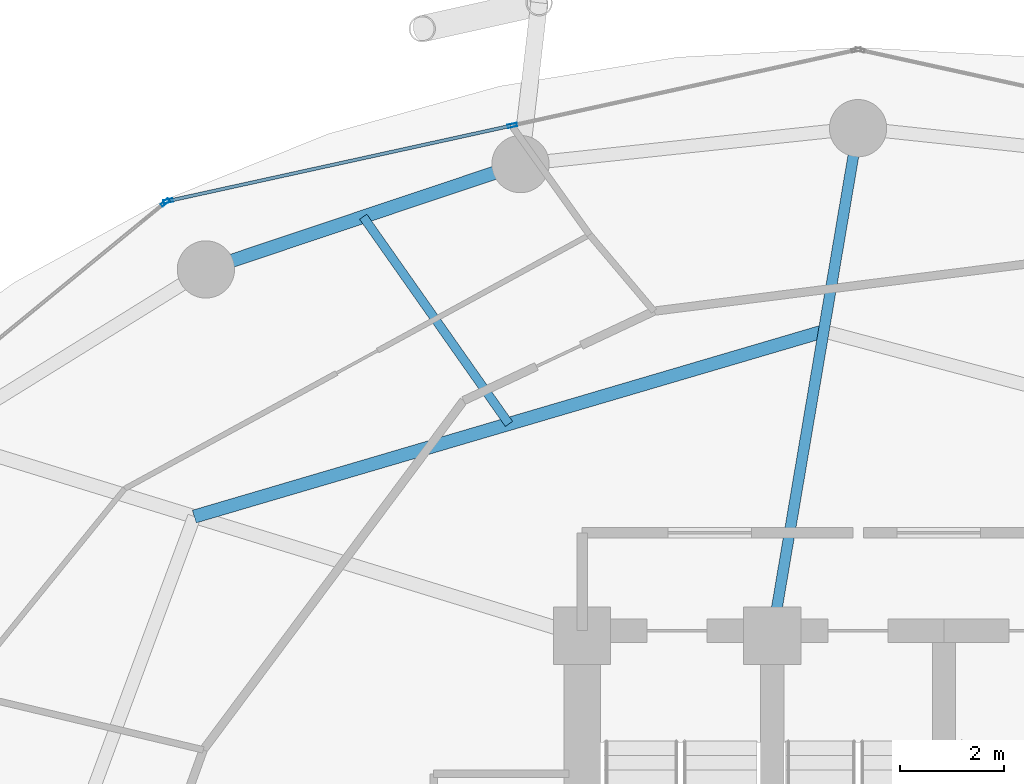
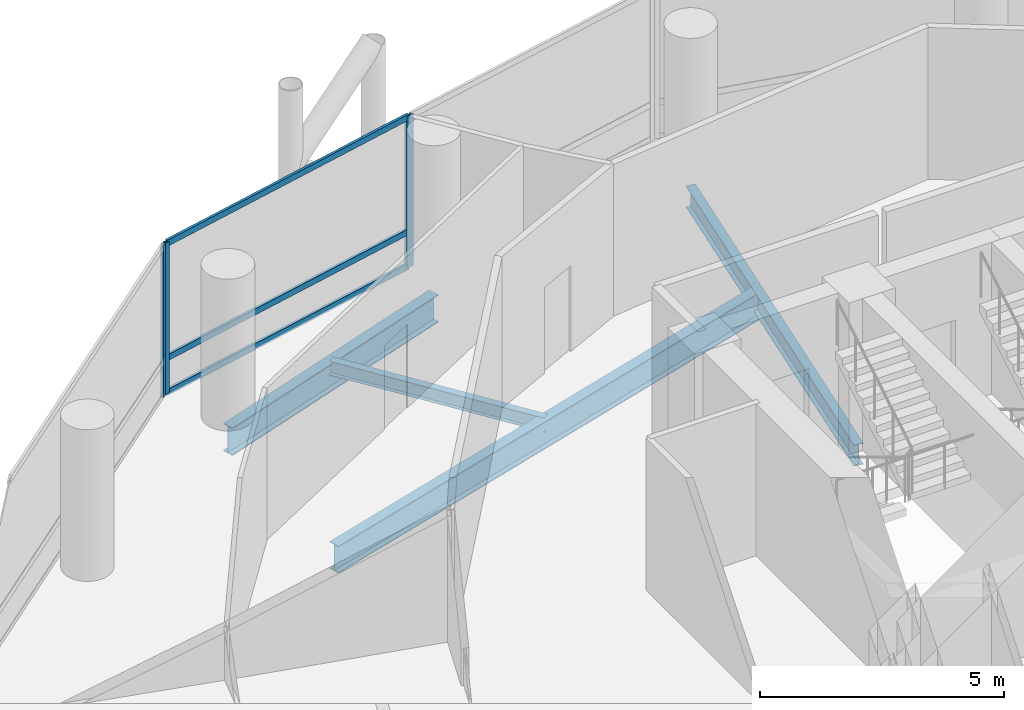
# One storey, part 15 of 24: 6 members, 4 beams, 2 elements without a shape of their own.
"""IFC4 building model written with IfcOpenShell, lengths in metres."""

import ifcopenshell
import ifcopenshell.guid

model = None  # the IFC model being written
_history = None  # IfcOwnerHistory: only IFC2X3 demands one
_inside = {}  # id of a spatial element -> (the spatial element, [elements in it])
_under = {}  # id of a project, library or spatial element -> (it, [spatial elements below it])
_declared = {}  # id of a project -> (the project, [libraries it declares])
_typed = {}  # id of a type object -> (the type object, [elements of that type])
_made_of = {}  # id of a material, layer set ... -> (it, [elements and type objects made of it])


def new_model(schema):
    """Start an empty IFC model of exactly this schema.

    Asked for "IFC4X3", IfcOpenShell would pick the latest addendum, in which some entities
    have other attributes; the version numbers below select the first issue.
    IFC2X3 requires an IfcOwnerHistory on every rooted entity: one is made here for all.
    """
    global model, _history
    if schema == "IFC4X3":
        model = ifcopenshell.file(schema_version=(4, 3, 0, 0))
    else:
        model = ifcopenshell.file(schema=schema)
    _inside.clear()
    _under.clear()
    _declared.clear()
    _typed.clear()
    _made_of.clear()
    _history = None
    if model.schema == "IFC2X3":
        org = make("IfcOrganization", Name="unknown")
        user = make(
            "IfcPersonAndOrganization",
            ThePerson=make("IfcPerson", FamilyName="unknown"),
            TheOrganization=org,
        )
        app = make(
            "IfcApplication",
            ApplicationDeveloper=org,
            Version="unknown",
            ApplicationFullName="unknown",
            ApplicationIdentifier="unknown",
        )
        _history = make(
            "IfcOwnerHistory",
            OwningUser=user,
            OwningApplication=app,
            ChangeAction="ADDED",
            CreationDate=0,
        )
    return model


def make(cls, **values):
    """One entity of the class cls with the attributes given. An attribute that is None is left unset."""
    return model.create_entity(
        cls, **{name: value for name, value in values.items() if value is not None}
    )


def rooted(cls, **values):
    """An entity with a GlobalId (a new one), such as an element, a storey or a relation."""
    return make(cls, GlobalId=ifcopenshell.guid.new(), OwnerHistory=_history, **values)


def si_unit(unit_type, name, prefix=None):
    """IfcSIUnit, for example si_unit("LENGTHUNIT", "METRE", prefix="MILLI")."""
    return make("IfcSIUnit", UnitType=unit_type, Prefix=prefix, Name=name)


def assignment(units):
    """IfcUnitAssignment: the units of a project."""
    return None if units is None else make("IfcUnitAssignment", Units=units)


def point(xyz):
    """IfcCartesianPoint."""
    return None if xyz is None else make("IfcCartesianPoint", Coordinates=xyz)


def direction(xyz):
    """IfcDirection."""
    return None if xyz is None else make("IfcDirection", DirectionRatios=xyz)


def frame(location, z_axis=None, x_axis=None):
    """IfcAxis2Placement3D, a coordinate frame: its origin and axes. An axis left out is left unset."""
    return make(
        "IfcAxis2Placement3D",
        Location=point(location),
        Axis=direction(z_axis),
        RefDirection=direction(x_axis),
    )


def frame_2d(location, x_axis=None):
    """IfcAxis2Placement2D, a coordinate frame in the plane: its origin and x axis."""
    return make(
        "IfcAxis2Placement2D", Location=point(location), RefDirection=direction(x_axis)
    )


def origin():
    """The frame at (0, 0, 0) with its axes left unset."""
    return frame((0.0, 0.0, 0.0))


def origin_2d():
    """The frame at (0, 0) in the plane with its x axis left unset."""
    return frame_2d((0.0, 0.0))


def place(relative_to, where):
    """IfcLocalPlacement: puts the frame where relative to a parent placement (None: the world)."""
    return make(
        "IfcLocalPlacement", PlacementRelTo=relative_to, RelativePlacement=where
    )


def context(
    kind, dimensions, precision=None, world=None, true_north=None, identifier=None
):
    """IfcGeometricRepresentationContext, for example the 3D "Model" context."""
    return make(
        "IfcGeometricRepresentationContext",
        ContextIdentifier=identifier,
        ContextType=kind,
        CoordinateSpaceDimension=dimensions,
        Precision=precision,
        WorldCoordinateSystem=world,
        TrueNorth=true_north,
    )


def subcontext(parent, identifier, kind, view, scale=None):
    """IfcGeometricRepresentationSubContext, for example "Body" below "Model"."""
    return make(
        "IfcGeometricRepresentationSubContext",
        ContextIdentifier=identifier,
        ContextType=kind,
        ParentContext=parent,
        TargetScale=scale,
        TargetView=view,
    )


def project(units=None, contexts=None):
    """IfcProject with its units and contexts."""
    return rooted(
        "IfcProject",
        Name="project",
        RepresentationContexts=contexts,
        UnitsInContext=assignment(units),
    )


def spatial(cls, under=None, at=None, **own):
    """A site, building, storey or space (cls), placed at a placement, below another one or the project."""
    s = rooted(cls, ObjectPlacement=at, **own)
    if under is not None:
        _under.setdefault(under.id(), (under, []))[1].append(s)
    return s


def profile(cls, at=None, kind="AREA", **sizes):
    """A parametric profile (cls). Its sizes go by their IFC names, for example OverallWidth=200.0."""
    return make(cls, ProfileType=kind, Position=at, **sizes)


def hollow_rectangle(**sizes):
    """IfcRectangleHollowProfileDef."""
    return profile("IfcRectangleHollowProfileDef", **sizes)


def i_section(**sizes):
    """IfcIShapeProfileDef."""
    return profile("IfcIShapeProfileDef", **sizes)


def extrude(swept, where, along, depth):
    """IfcExtrudedAreaSolid: the profile swept, set in the frame where, extruded along a direction by depth."""
    return make(
        "IfcExtrudedAreaSolid",
        SweptArea=swept,
        Position=where,
        ExtrudedDirection=direction(along),
        Depth=depth,
    )


def shape(context_of_items, identifier, shape_type, items):
    """IfcShapeRepresentation: the items that make up one representation, for example the "Body"."""
    return make(
        "IfcShapeRepresentation",
        ContextOfItems=context_of_items,
        RepresentationIdentifier=identifier,
        RepresentationType=shape_type,
        Items=items,
    )


def material(Name=None, Category=None):
    """IfcMaterial."""
    return make("IfcMaterial", Name=Name, Category=Category)


def layer(
    of_material, thickness, ventilated=None, Name=None, Category=None, Priority=None
):
    """IfcMaterialLayer: one layer of a wall or slab, of a material (None: an air gap)."""
    return make(
        "IfcMaterialLayer",
        Material=of_material,
        LayerThickness=thickness,
        IsVentilated=ventilated,
        Name=Name,
        Category=Category,
        Priority=Priority,
    )


def layer_set(layers, Name=None):
    """IfcMaterialLayerSet."""
    return make("IfcMaterialLayerSet", MaterialLayers=layers, LayerSetName=Name)


def material_profile(
    of_material, cross_section, Name=None, Category=None, Priority=None
):
    """IfcMaterialProfile: a cross section and its material."""
    return make(
        "IfcMaterialProfile",
        Name=Name,
        Material=of_material,
        Profile=cross_section,
        Priority=Priority,
        Category=Category,
    )


def profile_set(profiles, Name=None, composite=None):
    """IfcMaterialProfileSet."""
    return make(
        "IfcMaterialProfileSet",
        Name=Name,
        MaterialProfiles=profiles,
        CompositeProfile=composite,
    )


def made_of(thing, what):
    """Note that an element or type object is made of a material, layer set ...; save() writes the relation."""
    if what is not None:
        _made_of.setdefault(what.id(), (what, []))[1].append(thing)
    return thing


def type_object(cls, material=None, **own):
    """A type object (cls), such as IfcWallType, which elements share."""
    return made_of(rooted(cls, **own), material)


def element(
    cls,
    number,
    at=None,
    inside=None,
    cuts=None,
    type_object=None,
    material=None,
    context=None,
    identifier="Body",
    shape_type=None,
    held_by="IfcProductDefinitionShape",
    body=None,
    shapes=None,
    **own,
):
    """One element of the class cls, such as IfcWall. Its Tag is "e" and its number.

    at: its placement. inside: the storey or other place that contains it. cuts: it is an
    opening in that element (IfcRelVoidsElement). A single representation is given by context,
    identifier, shape_type and body (its items); several are given by shapes. held_by: the class
    of the entity that holds the representations. save() writes the other relations.
    """
    e = rooted(cls, Tag="e%d" % number, ObjectPlacement=at, **own)
    if body is not None:
        shapes = [shape(context, identifier, shape_type, body)]
    if shapes is not None:
        e.Representation = make(held_by, Representations=shapes)
    if inside is not None:
        _inside.setdefault(inside.id(), (inside, []))[1].append(e)
    if cuts is not None:
        rooted(
            "IfcRelVoidsElement", RelatingBuildingElement=cuts, RelatedOpeningElement=e
        )
    if type_object is not None:
        _typed.setdefault(type_object.id(), (type_object, []))[1].append(e)
    return made_of(e, material)


def aggregate(whole, parts):
    """IfcRelAggregates: a whole, such as a stair, and the parts it consists of."""
    return rooted("IfcRelAggregates", RelatingObject=whole, RelatedObjects=parts)


def save(model, path):
    """Write the relations noted so far, then the file.

    IfcRelAggregates (storeys below a building ...), IfcRelContainedInSpatialStructure (elements
    in a storey), IfcRelDefinesByType, IfcRelAssociatesMaterial and IfcRelDeclares: one each for
    every whole, place, type object, material and project.
    """
    for whole, parts in _under.values():
        aggregate(whole, parts)
    for where, things in _inside.values():
        rooted(
            "IfcRelContainedInSpatialStructure",
            RelatedElements=things,
            RelatingStructure=where,
        )
    for kind, things in _typed.values():
        rooted("IfcRelDefinesByType", RelatedObjects=things, RelatingType=kind)
    for what, things in _made_of.values():
        rooted("IfcRelAssociatesMaterial", RelatedObjects=things, RelatingMaterial=what)
    for by, libraries in _declared.values():
        rooted("IfcRelDeclares", RelatingContext=by, RelatedDefinitions=libraries)
    model.write(path)


model = new_model("IFC4")

# Units and contexts
model_context = context("Model", 3, precision=1e-05, world=origin(), true_north=direction((0.0, 1.0)))
body_context = subcontext(model_context, "Body", "Model", "MODEL_VIEW")
ifc_project = project(units=[si_unit("LENGTHUNIT", "METRE"), si_unit("AREAUNIT", "SQUARE_METRE"), si_unit("VOLUMEUNIT", "CUBIC_METRE"), si_unit("PLANEANGLEUNIT", "RADIAN"), si_unit("MASSUNIT", "GRAM", prefix="KILO")], contexts=[model_context])

# Site, building, storey
site_placement = place(None, origin())
site = spatial("IfcSite", under=ifc_project, at=site_placement, CompositionType="ELEMENT")
building_placement = place(site_placement, origin())
building = spatial("IfcBuilding", under=site, at=building_placement, Name="Nuhasar Tower", CompositionType="ELEMENT")
storey_placement = place(building_placement, frame((0.0, 0.0, 89.85009765625)))
storey = spatial("IfcBuildingStorey", under=building, at=storey_placement, Name="L21", CompositionType="ELEMENT", Elevation=89.85009765625)

# Beams
ifc_material_1 = material(Name="Steel S355", Category="steel")
ifc_material_profile_1 = material_profile(ifc_material_1, i_section(OverallWidth=0.25390625, OverallDepth=0.68408203125, WebThickness=0.012451171875, FlangeThickness=0.018798828125, at=origin_2d()), Name="W27X94")
ifc_profile_set_1 = profile_set([ifc_material_profile_1], Name="Steel S355")
beam_type_1 = type_object("IfcBeamType", Name="BM-INRING-W27X94", PredefinedType="BEAM", material=ifc_profile_set_1)
beam_1_placement = place(storey_placement, frame((38.340087890625, 43.14990234375, -0.592041015625), z_axis=(-0.959290190666, -0.28242225495, 0.0), x_axis=(0.28242225495, -0.959290190666, 0.0)))
element("IfcBeam", 1, at=beam_1_placement, inside=storey, type_object=beam_type_1, Name="L21 Inner Header Beam 06", PredefinedType="BEAM", context=body_context, shape_type="SweptSolid", body=[
    extrude(i_section(OverallWidth=0.25390625, OverallDepth=0.68408203125, WebThickness=0.012451171875, FlangeThickness=0.018798828125, at=origin_2d()), origin(), (0.0, 0.0, 1.0), 12.60107421875),
])
ifc_material_profile_2 = material_profile(ifc_material_1, i_section(OverallWidth=0.1708984375, OverallDepth=0.35205078125, WebThickness=0.0068359375, FlangeThickness=0.009765625, at=origin_2d()), Name="W14X30")
ifc_profile_set_2 = profile_set([ifc_material_profile_2], Name="Steel S355")
beam_type_2 = type_object("IfcBeamType", Name="BM-JST-W14X30", PredefinedType="JOIST", material=ifc_profile_set_2)
beam_2_placement = place(storey_placement, frame((32.2958984375, 41.3701171875, -0.426025390625), z_axis=(-0.575461088141, 0.817829160666, 0.0), x_axis=(-0.817829160666, -0.575461088141, 0.0)))
element("IfcBeam", 2, at=beam_2_placement, inside=storey, type_object=beam_type_2, Name="L21 Secondary Floor Joist 06", PredefinedType="JOIST", context=body_context, shape_type="SweptSolid", body=[
    extrude(i_section(OverallWidth=0.1708984375, OverallDepth=0.35205078125, WebThickness=0.0068359375, FlangeThickness=0.009765625, at=origin_2d()), origin(), (0.0, 0.0, 1.0), 4.865234375),
])
ifc_material_profile_3 = material_profile(ifc_material_1, i_section(OverallWidth=0.208984375, OverallDepth=0.532958984375, WebThickness=0.01025390625, FlangeThickness=0.015625, at=origin_2d()), Name="W21X62")
ifc_profile_set_3 = profile_set([ifc_material_profile_3], Name="Steel S355")
beam_type_3 = type_object("IfcBeamType", Name="BM-RAD-W21X62", PredefinedType="BEAM", material=ifc_profile_set_3)
beam_3_placement = place(storey_placement, frame((37.35009765625, 37.300048828125, -0.51611328125), z_axis=(0.166848703013, 0.98598251014, 0.0), x_axis=(-0.98598251014, 0.166848703013, 0.0)))
element("IfcBeam", 3, at=beam_3_placement, inside=storey, type_object=beam_type_3, Name="L21 Radial Floor Girder 06", PredefinedType="BEAM", context=body_context, shape_type="SweptSolid", body=[
    extrude(i_section(OverallWidth=0.208984375, OverallDepth=0.532958984375, WebThickness=0.01025390625, FlangeThickness=0.015625, at=origin_2d()), origin(), (0.0, 0.0, 1.0), 9.888671875),
])
ifc_material_profile_4 = material_profile(ifc_material_1, i_section(OverallWidth=0.256103515625, OverallDepth=0.693115234375, WebThickness=0.014404296875, FlangeThickness=0.023681640625, at=origin_2d()), Name="W27X114")
ifc_profile_set_4 = profile_set([ifc_material_profile_4], Name="Steel S355")
beam_type_4 = type_object("IfcBeamType", Name="BM-RING-W27X114", PredefinedType="SPANDREL", material=ifc_profile_set_4)
beam_4_placement = place(storey_placement, frame((32.51708984375, 46.360107421875, -0.59716796875), z_axis=(-0.948249435708, -0.317526388949, 0.0), x_axis=(0.317526388949, -0.948249435708, 0.0)))
element("IfcBeam", 4, at=beam_4_placement, inside=storey, type_object=beam_type_4, Name="L21 Perimeter Ring Spandrel 08", PredefinedType="SPANDREL", context=body_context, shape_type="SweptSolid", body=[
    extrude(i_section(OverallWidth=0.256103515625, OverallDepth=0.693115234375, WebThickness=0.014404296875, FlangeThickness=0.023681640625, at=origin_2d()), origin(), (0.0, 0.0, 1.0), 6.371826171875),
])

# Curtain wall, members
ifc_material_2 = material(Name="Aluminium 6063-T6", Category="aluminium")
ifc_layer = layer(ifc_material_2, 0.199951171875)
ifc_layer_set = layer_set([ifc_layer], Name="Aluminium 6063-T6")
curtain_wall_type = type_object("IfcCurtainWallType", Name="CW-Z1-OFF", PredefinedType="NOTDEFINED", material=ifc_layer_set)
curtain_wall_1_placement = place(storey_placement, origin())
curtain_wall_1 = element("IfcCurtainWall", 5, at=curtain_wall_1_placement, inside=storey, type_object=curtain_wall_type, Name="L21 Unitised Curtain Wall 04", PredefinedType="NOTDEFINED")
ifc_material_profile_5 = material_profile(ifc_material_2, hollow_rectangle(XDim=0.06494140625, YDim=0.179931640625, WallThickness=0.0048828125, at=origin_2d()), Name="CWM-2")
ifc_profile_set_5 = profile_set([ifc_material_profile_5], Name="Aluminium 6063-T6")
member_type_1 = type_object("IfcMemberType", Name="CW-MUL-S2", PredefinedType="MULLION", material=ifc_profile_set_5)
member_1_placement = place(storey_placement, frame((32.360107421875, 47.1025390625, 0.0), z_axis=(0.0, 0.0, 1.0), x_axis=(0.214398737637, -0.976746221544, 0.0)))
member_1 = element("IfcMember", 6, at=member_1_placement, type_object=member_type_1, Name="CW-Z1 mullion 2", PredefinedType="MULLION", context=body_context, shape_type="SweptSolid", body=[
    extrude(hollow_rectangle(XDim=0.06494140625, YDim=0.179931640625, WallThickness=0.0048828125, at=origin_2d()), origin(), (0.0, 0.0, 1.0), 3.7998046875),
])
member_2_placement = place(storey_placement, frame((25.751708984375, 45.65185546875, 0.0), z_axis=(0.0, 0.0, 1.0), x_axis=(0.214398737637, -0.976746221544, 0.0)))
member_2 = element("IfcMember", 7, at=member_2_placement, type_object=member_type_1, Name="CW-Z1 mullion 3", PredefinedType="MULLION", context=body_context, shape_type="SweptSolid", body=[
    extrude(hollow_rectangle(XDim=0.06494140625, YDim=0.179931640625, WallThickness=0.0048828125, at=origin_2d()), origin(), (0.0, 0.0, 1.0), 3.7998046875),
])

# Curtain wall, member
curtain_wall_2_placement = place(storey_placement, origin())
curtain_wall_2 = element("IfcCurtainWall", 8, at=curtain_wall_2_placement, inside=storey, type_object=curtain_wall_type, Name="L21 Unitised Curtain Wall 05", PredefinedType="NOTDEFINED")
member_3_placement = place(storey_placement, frame((25.69482421875, 45.62451171875, 0.0), z_axis=(0.0, 0.0, 1.0), x_axis=(0.633744593376, -0.773542364946, 0.0)))
member_3 = element("IfcMember", 9, at=member_3_placement, type_object=member_type_1, Name="CW-Z1 mullion 1", PredefinedType="MULLION", context=body_context, shape_type="SweptSolid", body=[
    extrude(hollow_rectangle(XDim=0.06494140625, YDim=0.179931640625, WallThickness=0.0048828125, at=origin_2d()), origin(), (0.0, 0.0, 1.0), 3.7998046875),
])
aggregate(curtain_wall_2, [member_3])

# Member
ifc_material_profile_6 = material_profile(ifc_material_2, hollow_rectangle(XDim=0.06494140625, YDim=0.14990234375, WallThickness=0.00439453125, at=origin_2d()), Name="CWT-2")
ifc_profile_set_6 = profile_set([ifc_material_profile_6], Name="Aluminium 6063-T6")
member_type_2 = type_object("IfcMemberType", Name="CW-TRN-S2", PredefinedType="USERDEFINED", material=ifc_profile_set_6)
member_4_placement = place(storey_placement, frame((32.328369140625, 47.095458984375, 0.032470703125), z_axis=(-0.976749553792, -0.214383556196, 0.0), x_axis=(0.214383556196, -0.976749553792, 0.0)))
member_4 = element("IfcMember", 10, at=member_4_placement, type_object=member_type_2, Name="CW-Z1 transom 2.1", ObjectType="TRANSOM", PredefinedType="USERDEFINED", context=body_context, shape_type="SweptSolid", body=[
    extrude(hollow_rectangle(XDim=0.06494140625, YDim=0.14990234375, WallThickness=0.00439453125, at=origin_2d()), origin(), (0.0, 0.0, 1.0), 6.70068359375),
])

member_5_placement = place(storey_placement, frame((32.328369140625, 47.095458984375, 0.89990234375), z_axis=(-0.976749553792, -0.214383556196, 0.0), x_axis=(0.214383556196, -0.976749553792, 0.0)))
member_5 = element("IfcMember", 11, at=member_5_placement, type_object=member_type_2, Name="CW-Z1 transom 2.2", ObjectType="TRANSOM", PredefinedType="USERDEFINED", context=body_context, shape_type="SweptSolid", body=[
    extrude(hollow_rectangle(XDim=0.06494140625, YDim=0.14990234375, WallThickness=0.00439453125, at=origin_2d()), origin(), (0.0, 0.0, 1.0), 6.70068359375),
])

member_6_placement = place(storey_placement, frame((32.328369140625, 47.095458984375, 3.767333984375), z_axis=(-0.976749553792, -0.214383556196, 0.0), x_axis=(0.214383556196, -0.976749553792, 0.0)))
member_6 = element("IfcMember", 12, at=member_6_placement, type_object=member_type_2, Name="CW-Z1 transom 2.3", ObjectType="TRANSOM", PredefinedType="USERDEFINED", context=body_context, shape_type="SweptSolid", body=[
    extrude(hollow_rectangle(XDim=0.06494140625, YDim=0.14990234375, WallThickness=0.00439453125, at=origin_2d()), origin(), (0.0, 0.0, 1.0), 6.70068359375),
])

aggregate(curtain_wall_1, [member_1, member_2, member_4, member_5, member_6])

save(model, "model.ifc")
